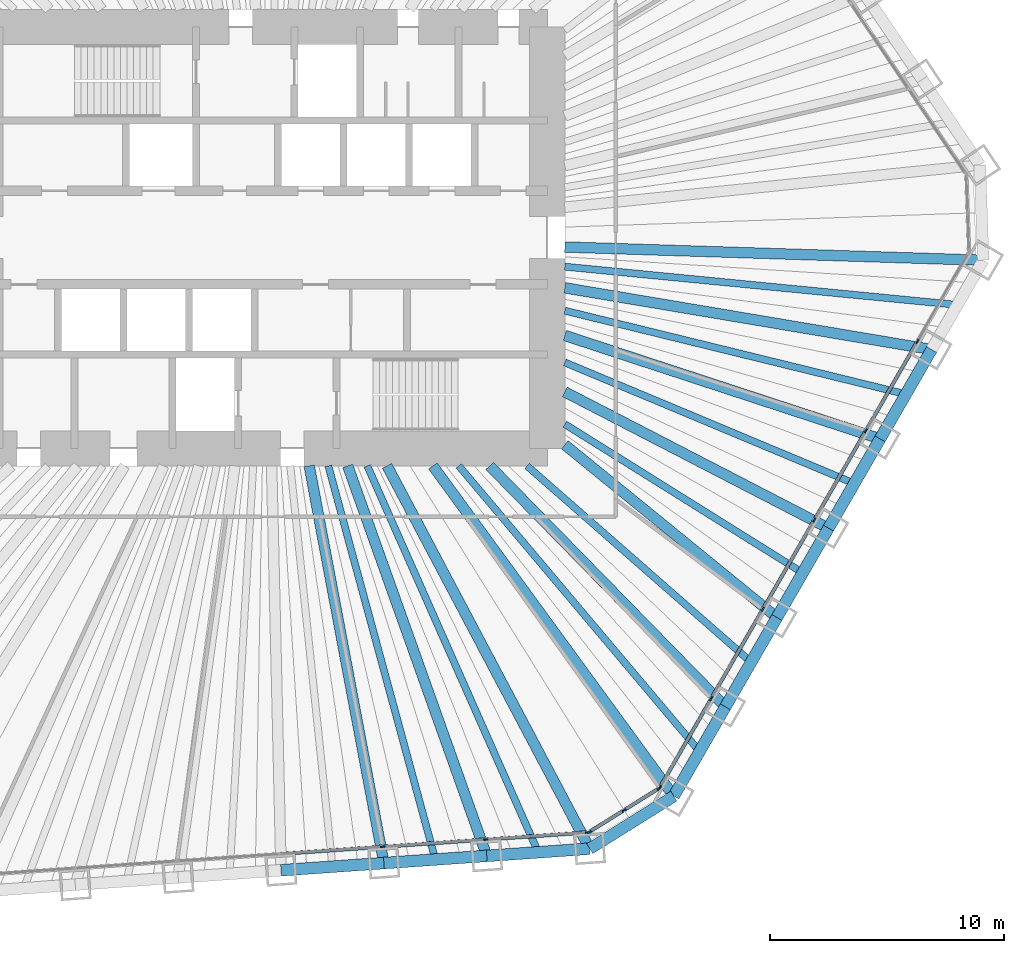
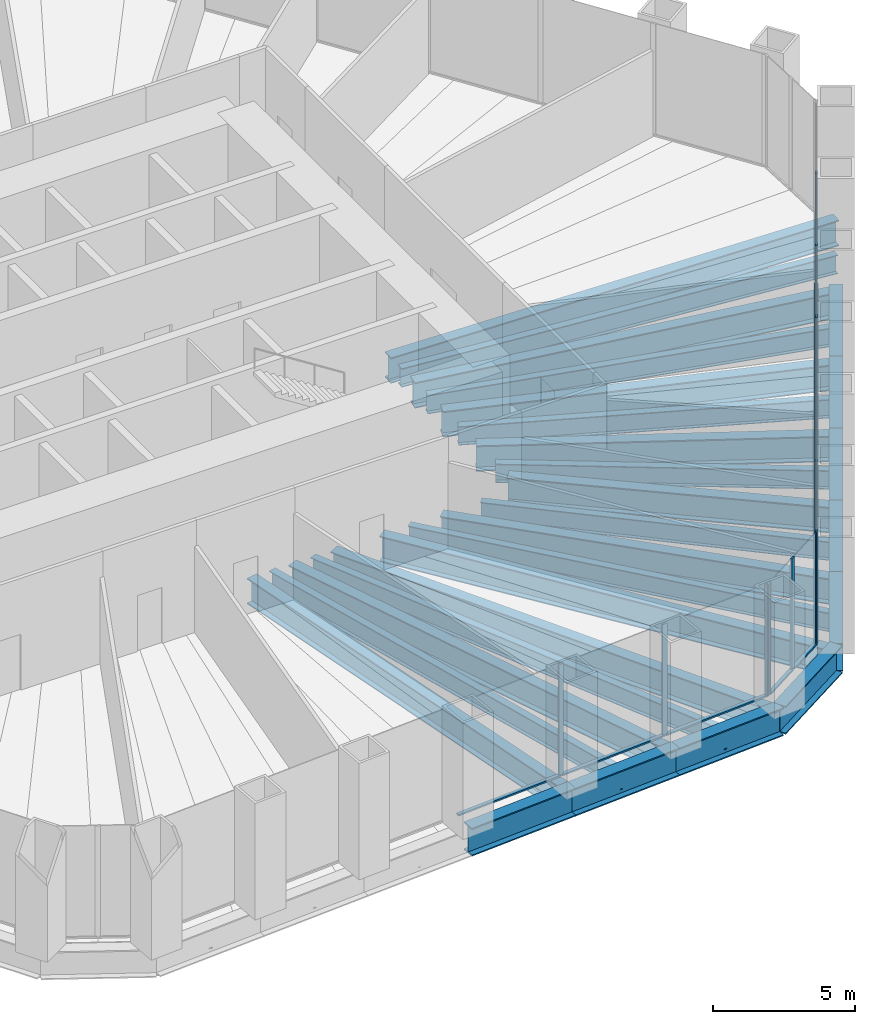
# One storey, part 4 of 14: 27 beams, 22 members, 3 elements without a shape of their own.
"""IFC4 building model written with IfcOpenShell, lengths in metres."""

from ifc_helpers import new_model, si_unit, direction, frame, origin, origin_2d, place, context, subcontext, project, spatial, rectangle, i_section, extrude, material, material_profile, profile_set, type_object, element, aggregate, save


model = new_model("IFC4")

# Units and contexts
model_context = context("Model", 3, precision=1e-05, world=origin(), true_north=direction((0.0, 1.0)))
body_context = subcontext(model_context, "Body", "Model", "MODEL_VIEW")
ifc_project = project(units=[si_unit("LENGTHUNIT", "METRE"), si_unit("AREAUNIT", "SQUARE_METRE"), si_unit("VOLUMEUNIT", "CUBIC_METRE"), si_unit("PLANEANGLEUNIT", "RADIAN"), si_unit("MASSUNIT", "GRAM", prefix="KILO")], contexts=[model_context])

# Site, building, storey
site_placement = place(None, origin())
site = spatial("IfcSite", under=ifc_project, at=site_placement, CompositionType="ELEMENT")
building_placement = place(site_placement, origin())
building = spatial("IfcBuilding", under=site, at=building_placement, Name="Qingtian Harvest Tower", CompositionType="ELEMENT")
storey_placement = place(building_placement, frame((0.0, 0.0, 82.0)))
storey = spatial("IfcBuildingStorey", under=building, at=storey_placement, Name="L16", CompositionType="ELEMENT", Elevation=82.0)

# Beams
ifc_material_1 = material(Name="Steel SM570MC", Category="steel")
ifc_material_profile_1 = material_profile(ifc_material_1, i_section(OverallWidth=0.449951171875, OverallDepth=1.10009765625, WebThickness=0.02197265625, FlangeThickness=0.044921875, at=origin_2d()), Name="H1100x450x22x45")
ifc_profile_set_1 = profile_set([ifc_material_profile_1], Name="Steel SM570MC")
beam_type_1 = type_object("IfcBeamType", Name="Corner floor beam FB8 H1100x450x22x45", PredefinedType="BEAM", material=ifc_profile_set_1)
beam_1_placement = place(storey_placement, frame((30.618408203125, -0.96728515625, -0.75), z_axis=(-0.999501426546, 0.031573696842, 0.0), x_axis=(-0.031573696842, -0.999501426546, 0.0)))
element("IfcBeam", 1, at=beam_1_placement, inside=storey, type_object=beam_type_1, Name="Floor beam FB8 SE0", PredefinedType="BEAM", context=body_context, shape_type="SweptSolid", body=[
    extrude(i_section(OverallWidth=0.449951171875, OverallDepth=1.10009765625, WebThickness=0.02197265625, FlangeThickness=0.044921875, at=origin_2d()), origin(), (0.0, 0.0, 1.0), 17.87744140625),
])
beam_2_placement = place(storey_placement, frame((17.404541015625, -23.854248046875, -0.75), z_axis=(-0.58941234871, 0.807832336062, 0.0), x_axis=(-0.807832336062, -0.58941234871, 0.0)))
element("IfcBeam", 2, at=beam_2_placement, inside=storey, type_object=beam_type_1, Name="Floor beam FB8 SE6", PredefinedType="BEAM", context=body_context, shape_type="SweptSolid", body=[
    extrude(i_section(OverallWidth=0.449951171875, OverallDepth=1.10009765625, WebThickness=0.02197265625, FlangeThickness=0.044921875, at=origin_2d()), origin(), (0.0, 0.0, 1.0), 17.45947265625),
])
beam_3_placement = place(storey_placement, frame((13.810546875, -26.10009765625, -0.75), z_axis=(-0.467705182679, 0.883884529843, 0.0), x_axis=(-0.883884529843, -0.467705182679, 0.0)))
element("IfcBeam", 3, at=beam_3_placement, inside=storey, type_object=beam_type_1, Name="Floor beam FB8 S0", PredefinedType="BEAM", context=body_context, shape_type="SweptSolid", body=[
    extrude(i_section(OverallWidth=0.449951171875, OverallDepth=1.10009765625, WebThickness=0.02197265625, FlangeThickness=0.044921875, at=origin_2d()), origin(), (0.0, 0.0, 1.0), 18.498046875),
])
ifc_material_2 = material(Name="Steel SM570MC", Category="steel")
ifc_material_profile_2 = material_profile(ifc_material_2, i_section(OverallWidth=0.449951171875, OverallDepth=1.10009765625, WebThickness=0.02197265625, FlangeThickness=0.044921875, at=origin_2d()), Name="H1100x450x22x45")
ifc_profile_set_2 = profile_set([ifc_material_profile_2], Name="Steel SM570MC")
beam_type_2 = type_object("IfcBeamType", Name="Floor beam FB1 H1100x450x22x45", PredefinedType="BEAM", material=ifc_profile_set_2)
beam_4_placement = place(storey_placement, frame((28.416015625, -4.78173828125, -0.75), z_axis=(-0.986135195489, 0.16594389479, 0.0), x_axis=(-0.16594389479, -0.986135195489, 0.0)))
element("IfcBeam", 4, at=beam_4_placement, inside=storey, type_object=beam_type_2, Name="Floor beam FB1 SE1", PredefinedType="BEAM", context=body_context, shape_type="SweptSolid", body=[
    extrude(i_section(OverallWidth=0.449951171875, OverallDepth=1.10009765625, WebThickness=0.02197265625, FlangeThickness=0.044921875, at=origin_2d()), origin(), (0.0, 0.0, 1.0), 15.88623046875),
])
beam_5_placement = place(storey_placement, frame((26.2138671875, -8.596435546875, -0.75), z_axis=(-0.950210724421, 0.311608053803, 0.0), x_axis=(-0.311608053803, -0.950210724421, 0.0)))
element("IfcBeam", 5, at=beam_5_placement, inside=storey, type_object=beam_type_2, Name="Floor beam FB1 SE2", PredefinedType="BEAM", context=body_context, shape_type="SweptSolid", body=[
    extrude(i_section(OverallWidth=0.449951171875, OverallDepth=1.10009765625, WebThickness=0.02197265625, FlangeThickness=0.044921875, at=origin_2d()), origin(), (0.0, 0.0, 1.0), 14.16943359375),
])
beam_6_placement = place(storey_placement, frame((24.011474609375, -12.410888671875, -0.75), z_axis=(-0.888349581519, 0.45916774823, 0.0), x_axis=(-0.45916774823, -0.888349581519, 0.0)))
element("IfcBeam", 6, at=beam_6_placement, inside=storey, type_object=beam_type_2, Name="Floor beam FB1 SE3", PredefinedType="BEAM", context=body_context, shape_type="SweptSolid", body=[
    extrude(i_section(OverallWidth=0.449951171875, OverallDepth=1.10009765625, WebThickness=0.02197265625, FlangeThickness=0.044921875, at=origin_2d()), origin(), (0.0, 0.0, 1.0), 12.6767578125),
])
beam_7_placement = place(storey_placement, frame((21.809326171875, -16.225341796875, -0.75), z_axis=(-0.775504415669, 0.631342142802, 0.0), x_axis=(-0.631342142802, -0.775504415669, 0.0)))
element("IfcBeam", 7, at=beam_7_placement, inside=storey, type_object=beam_type_2, Name="Floor beam FB1 SE4", PredefinedType="BEAM", context=body_context, shape_type="SweptSolid", body=[
    extrude(i_section(OverallWidth=0.449951171875, OverallDepth=1.10009765625, WebThickness=0.02197265625, FlangeThickness=0.044921875, at=origin_2d()), origin(), (0.0, 0.0, 1.0), 11.681884765625),
])
beam_8_placement = place(storey_placement, frame((19.60693359375, -20.039794921875, -0.75), z_axis=(-0.699348221539, 0.714781130858, 0.0), x_axis=(-0.714781130858, -0.699348221539, 0.0)))
element("IfcBeam", 8, at=beam_8_placement, inside=storey, type_object=beam_type_2, Name="Floor beam FB1 SE5", PredefinedType="BEAM", context=body_context, shape_type="SweptSolid", body=[
    extrude(i_section(OverallWidth=0.449951171875, OverallDepth=1.10009765625, WebThickness=0.02197265625, FlangeThickness=0.044921875, at=origin_2d()), origin(), (0.0, 0.0, 1.0), 14.395751953125),
])
beam_9_placement = place(storey_placement, frame((9.41650390625, -26.407470703125, -0.75), z_axis=(-0.33586498155, 0.941910141239, 0.0), x_axis=(-0.941910141239, -0.33586498155, 0.0)))
element("IfcBeam", 9, at=beam_9_placement, inside=storey, type_object=beam_type_2, Name="Floor beam FB1 S1", PredefinedType="BEAM", context=body_context, shape_type="SweptSolid", body=[
    extrude(i_section(OverallWidth=0.449951171875, OverallDepth=1.10009765625, WebThickness=0.02197265625, FlangeThickness=0.044921875, at=origin_2d()), origin(), (0.0, 0.0, 1.0), 17.684814453125),
])
beam_10_placement = place(storey_placement, frame((5.022705078125, -26.714599609375, -0.75), z_axis=(-0.184782942099, 0.98277935688, 0.0), x_axis=(-0.98277935688, -0.184782942099, 0.0)))
element("IfcBeam", 10, at=beam_10_placement, inside=storey, type_object=beam_type_2, Name="Floor beam FB1 S2", PredefinedType="BEAM", context=body_context, shape_type="SweptSolid", body=[
    extrude(i_section(OverallWidth=0.449951171875, OverallDepth=1.10009765625, WebThickness=0.02197265625, FlangeThickness=0.044921875, at=origin_2d()), origin(), (0.0, 0.0, 1.0), 17.261962890625),
])
ifc_material_3 = material(Name="Steel SN490B", Category="steel")
ifc_material_profile_3 = material_profile(ifc_material_3, i_section(OverallWidth=0.300048828125, OverallDepth=0.800048828125, WebThickness=0.013916015625, FlangeThickness=0.02587890625, at=origin_2d()), Name="H800x300x14x26")
ifc_profile_set_3 = profile_set([ifc_material_profile_3], Name="Steel SN490B")
beam_type_3 = type_object("IfcBeamType", Name="Floor joist J1 H800x300x14x26", PredefinedType="JOIST", material=ifc_profile_set_3)
beam_11_placement = place(storey_placement, frame((29.517333984375, -2.87451171875, -0.60009765625), z_axis=(-0.995291970786, 0.096922097011, 0.0), x_axis=(-0.096922097011, -0.995291970786, 0.0)))
element("IfcBeam", 11, at=beam_11_placement, inside=storey, type_object=beam_type_3, Name="Floor joist J1 SE0", PredefinedType="JOIST", context=body_context, shape_type="SweptSolid", body=[
    extrude(i_section(OverallWidth=0.300048828125, OverallDepth=0.800048828125, WebThickness=0.013916015625, FlangeThickness=0.02587890625, at=origin_2d()), origin(), (0.0, 0.0, 1.0), 16.8466796875),
])
beam_12_placement = place(storey_placement, frame((27.31494140625, -6.68896484375, -0.60009765625), z_axis=(-0.971301533706, 0.237851488583, 0.0), x_axis=(-0.237851488583, -0.971301533706, 0.0)))
element("IfcBeam", 12, at=beam_12_placement, inside=storey, type_object=beam_type_3, Name="Floor joist J1 SE1", PredefinedType="JOIST", context=body_context, shape_type="SweptSolid", body=[
    extrude(i_section(OverallWidth=0.300048828125, OverallDepth=0.800048828125, WebThickness=0.013916015625, FlangeThickness=0.02587890625, at=origin_2d()), origin(), (0.0, 0.0, 1.0), 14.995361328125),
])
beam_13_placement = place(storey_placement, frame((25.112548828125, -10.503662109375, -0.60009765625), z_axis=(-0.922550516103, 0.385876334125, 0.0), x_axis=(-0.385876334125, -0.922550516103, 0.0)))
element("IfcBeam", 13, at=beam_13_placement, inside=storey, type_object=beam_type_3, Name="Floor joist J1 SE2", PredefinedType="JOIST", context=body_context, shape_type="SweptSolid", body=[
    extrude(i_section(OverallWidth=0.300048828125, OverallDepth=0.800048828125, WebThickness=0.013916015625, FlangeThickness=0.02587890625, at=origin_2d()), origin(), (0.0, 0.0, 1.0), 13.400390625),
])
beam_14_placement = place(storey_placement, frame((22.910400390625, -14.318115234375, -0.60009765625), z_axis=(-0.848013185461, 0.52997512893, 0.0), x_axis=(-0.52997512893, -0.848013185461, 0.0)))
element("IfcBeam", 14, at=beam_14_placement, inside=storey, type_object=beam_type_3, Name="Floor joist J1 SE3", PredefinedType="JOIST", context=body_context, shape_type="SweptSolid", body=[
    extrude(i_section(OverallWidth=0.300048828125, OverallDepth=0.800048828125, WebThickness=0.013916015625, FlangeThickness=0.02587890625, at=origin_2d()), origin(), (0.0, 0.0, 1.0), 11.9814453125),
])
beam_15_placement = place(storey_placement, frame((20.7080078125, -18.132568359375, -0.60009765625), z_axis=(-0.75234369212, 0.658770801514, 0.0), x_axis=(-0.658770801514, -0.75234369212, 0.0)))
element("IfcBeam", 15, at=beam_15_placement, inside=storey, type_object=beam_type_3, Name="Floor joist J1 SE4", PredefinedType="JOIST", context=body_context, shape_type="SweptSolid", body=[
    extrude(i_section(OverallWidth=0.300048828125, OverallDepth=0.800048828125, WebThickness=0.013916015625, FlangeThickness=0.02587890625, at=origin_2d()), origin(), (0.0, 0.0, 1.0), 12.724609375),
])
beam_16_placement = place(storey_placement, frame((18.505859375, -21.947021484375, -0.60009765625), z_axis=(-0.644630398038, 0.76449437534, 0.0), x_axis=(-0.76449437534, -0.644630398038, 0.0)))
element("IfcBeam", 16, at=beam_16_placement, inside=storey, type_object=beam_type_3, Name="Floor joist J1 SE5", PredefinedType="JOIST", context=body_context, shape_type="SweptSolid", body=[
    extrude(i_section(OverallWidth=0.300048828125, OverallDepth=0.800048828125, WebThickness=0.013916015625, FlangeThickness=0.02587890625, at=origin_2d()), origin(), (0.0, 0.0, 1.0), 15.954345703125),
])
beam_17_placement = place(storey_placement, frame((11.613525390625, -26.25390625, -0.60009765625), z_axis=(-0.404539958959, 0.914520323233, 0.0), x_axis=(-0.914520323233, -0.404539958959, 0.0)))
element("IfcBeam", 17, at=beam_17_placement, inside=storey, type_object=beam_type_3, Name="Floor joist J1 S0", PredefinedType="JOIST", context=body_context, shape_type="SweptSolid", body=[
    extrude(i_section(OverallWidth=0.300048828125, OverallDepth=0.800048828125, WebThickness=0.013916015625, FlangeThickness=0.02587890625, at=origin_2d()), origin(), (0.0, 0.0, 1.0), 18.046630859375),
])
beam_18_placement = place(storey_placement, frame((7.2197265625, -26.56103515625, -0.60009765625), z_axis=(-0.262302659247, 0.964985655309, 0.0), x_axis=(-0.964985655309, -0.262302659247, 0.0)))
element("IfcBeam", 18, at=beam_18_placement, inside=storey, type_object=beam_type_3, Name="Floor joist J1 S1", PredefinedType="JOIST", context=body_context, shape_type="SweptSolid", body=[
    extrude(i_section(OverallWidth=0.300048828125, OverallDepth=0.800048828125, WebThickness=0.013916015625, FlangeThickness=0.02587890625, at=origin_2d()), origin(), (0.0, 0.0, 1.0), 17.421142578125),
])

# Curtain wall, members
ifc_material_4 = material(Name="Bronze-anodised aluminium curtain wall", Category="aluminium")
curtain_wall_type = type_object("IfcCurtainWallType", Name="Curtain wall CW2 farm reception", PredefinedType="USERDEFINED", material=ifc_material_4)
curtain_wall_1_placement = place(storey_placement, origin())
curtain_wall_1 = element("IfcCurtainWall", 19, at=curtain_wall_1_placement, inside=storey, type_object=curtain_wall_type, Name="Curtain wall CW2 L16 SE0-5", ObjectType="RECESSED CURTAIN WALL", PredefinedType="USERDEFINED")
ifc_material_5 = material(Name="Bronze-anodised aluminium mullion", Category="aluminium")
ifc_material_profile_4 = material_profile(ifc_material_5, rectangle(XDim=0.06494140625, YDim=0.199951171875, at=origin_2d()), Name="AL 65x200")
ifc_profile_set_4 = profile_set([ifc_material_profile_4], Name="Bronze-anodised aluminium mullion")
member_type_1 = type_object("IfcMemberType", Name="Mullion CWM 65x200", PredefinedType="MULLION", material=ifc_profile_set_4)
member_1_placement = place(storey_placement, frame((27.809814453125, -4.431884765625, 0.0), z_axis=(0.0, 0.0, 1.0), x_axis=(0.866025403784, -0.5, 0.0)))
member_1 = element("IfcMember", 20, at=member_1_placement, type_object=member_type_1, Name="CW2 mullion 2", PredefinedType="MULLION", context=body_context, shape_type="SweptSolid", body=[
    extrude(rectangle(XDim=0.06494140625, YDim=0.199951171875, at=origin_2d()), origin(), (0.0, 0.0, 1.0), 4.800048828125),
])
member_2_placement = place(storey_placement, frame((25.607666015625, -8.246337890625, 0.0), z_axis=(0.0, 0.0, 1.0), x_axis=(0.866025403784, -0.5, 0.0)))
member_2 = element("IfcMember", 21, at=member_2_placement, type_object=member_type_1, Name="CW2 mullion 3", PredefinedType="MULLION", context=body_context, shape_type="SweptSolid", body=[
    extrude(rectangle(XDim=0.06494140625, YDim=0.199951171875, at=origin_2d()), origin(), (0.0, 0.0, 1.0), 4.800048828125),
])
member_3_placement = place(storey_placement, frame((23.4052734375, -12.060791015625, 0.0), z_axis=(0.0, 0.0, 1.0), x_axis=(0.866025403784, -0.5, 0.0)))
member_3 = element("IfcMember", 22, at=member_3_placement, type_object=member_type_1, Name="CW2 mullion 4", PredefinedType="MULLION", context=body_context, shape_type="SweptSolid", body=[
    extrude(rectangle(XDim=0.06494140625, YDim=0.199951171875, at=origin_2d()), origin(), (0.0, 0.0, 1.0), 4.800048828125),
])
member_4_placement = place(storey_placement, frame((21.202880859375, -15.875244140625, 0.0), z_axis=(0.0, 0.0, 1.0), x_axis=(0.866025403784, -0.5, 0.0)))
member_4 = element("IfcMember", 23, at=member_4_placement, type_object=member_type_1, Name="CW2 mullion 5", PredefinedType="MULLION", context=body_context, shape_type="SweptSolid", body=[
    extrude(rectangle(XDim=0.06494140625, YDim=0.199951171875, at=origin_2d()), origin(), (0.0, 0.0, 1.0), 4.800048828125),
])
member_5_placement = place(storey_placement, frame((19.000732421875, -19.68994140625, 0.0), z_axis=(0.0, 0.0, 1.0), x_axis=(0.866025403784, -0.5, 0.0)))
member_5 = element("IfcMember", 24, at=member_5_placement, type_object=member_type_1, Name="CW2 mullion 6", PredefinedType="MULLION", context=body_context, shape_type="SweptSolid", body=[
    extrude(rectangle(XDim=0.06494140625, YDim=0.199951171875, at=origin_2d()), origin(), (0.0, 0.0, 1.0), 4.800048828125),
])
member_6_placement = place(storey_placement, frame((16.814697265625, -23.47607421875, 0.0), z_axis=(0.0, 0.0, 1.0), x_axis=(0.866025403784, -0.5, 0.0)))
member_6 = element("IfcMember", 25, at=member_6_placement, type_object=member_type_1, Name="CW2 mullion 7", PredefinedType="MULLION", context=body_context, shape_type="SweptSolid", body=[
    extrude(rectangle(XDim=0.06494140625, YDim=0.199951171875, at=origin_2d()), origin(), (0.0, 0.0, 1.0), 4.800048828125),
])

curtain_wall_2_placement = place(storey_placement, origin())
curtain_wall_2 = element("IfcCurtainWall", 26, at=curtain_wall_2_placement, inside=storey, type_object=curtain_wall_type, Name="Curtain wall CW2 L16 SEC", ObjectType="RECESSED CURTAIN WALL", PredefinedType="USERDEFINED")
member_7_placement = place(storey_placement, frame((16.770751953125, -23.521484375, 0.0), z_axis=(0.0, 0.0, 1.0), x_axis=(0.529919264233, -0.848048096156, 0.0)))
member_7 = element("IfcMember", 27, at=member_7_placement, type_object=member_type_1, Name="CW2 mullion 1", PredefinedType="MULLION", context=body_context, shape_type="SweptSolid", body=[
    extrude(rectangle(XDim=0.06494140625, YDim=0.199951171875, at=origin_2d()), origin(), (0.0, 0.0, 1.0), 4.800048828125),
])
member_8_placement = place(storey_placement, frame((15.280029296875, -24.453125, 0.0), z_axis=(0.0, 0.0, 1.0), x_axis=(0.529919264233, -0.848048096156, 0.0)))
member_8 = element("IfcMember", 28, at=member_8_placement, type_object=member_type_1, Name="CW2 mullion 2", PredefinedType="MULLION", context=body_context, shape_type="SweptSolid", body=[
    extrude(rectangle(XDim=0.06494140625, YDim=0.199951171875, at=origin_2d()), origin(), (0.0, 0.0, 1.0), 4.800048828125),
])
member_9_placement = place(storey_placement, frame((13.789306640625, -25.384765625, 0.0), z_axis=(0.0, 0.0, 1.0), x_axis=(0.529919264233, -0.848048096156, 0.0)))
member_9 = element("IfcMember", 29, at=member_9_placement, type_object=member_type_1, Name="CW2 mullion 3", PredefinedType="MULLION", context=body_context, shape_type="SweptSolid", body=[
    extrude(rectangle(XDim=0.06494140625, YDim=0.199951171875, at=origin_2d()), origin(), (0.0, 0.0, 1.0), 4.800048828125),
])

curtain_wall_3_placement = place(storey_placement, origin())
curtain_wall_3 = element("IfcCurtainWall", 30, at=curtain_wall_3_placement, inside=storey, type_object=curtain_wall_type, Name="Curtain wall CW2 L16 S0-5", ObjectType="RECESSED CURTAIN WALL", PredefinedType="USERDEFINED")
member_10_placement = place(storey_placement, frame((13.729248046875, -25.404296875, 0.0), z_axis=(0.0, 0.0, 1.0), x_axis=(0.069756473744, -0.99756405026, 0.0)))
member_10 = element("IfcMember", 31, at=member_10_placement, type_object=member_type_1, Name="CW2 mullion 1", PredefinedType="MULLION", context=body_context, shape_type="SweptSolid", body=[
    extrude(rectangle(XDim=0.06494140625, YDim=0.199951171875, at=origin_2d()), origin(), (0.0, 0.0, 1.0), 4.800048828125),
])
member_11_placement = place(storey_placement, frame((9.36767578125, -25.709228515625, 0.0), z_axis=(0.0, 0.0, 1.0), x_axis=(0.069756473744, -0.99756405026, 0.0)))
member_11 = element("IfcMember", 32, at=member_11_placement, type_object=member_type_1, Name="CW2 mullion 2", PredefinedType="MULLION", context=body_context, shape_type="SweptSolid", body=[
    extrude(rectangle(XDim=0.06494140625, YDim=0.199951171875, at=origin_2d()), origin(), (0.0, 0.0, 1.0), 4.800048828125),
])
member_12_placement = place(storey_placement, frame((4.973876953125, -26.016357421875, 0.0), z_axis=(0.0, 0.0, 1.0), x_axis=(0.069756473744, -0.99756405026, 0.0)))
member_12 = element("IfcMember", 33, at=member_12_placement, type_object=member_type_1, Name="CW2 mullion 3", PredefinedType="MULLION", context=body_context, shape_type="SweptSolid", body=[
    extrude(rectangle(XDim=0.06494140625, YDim=0.199951171875, at=origin_2d()), origin(), (0.0, 0.0, 1.0), 4.800048828125),
])

# Beams
ifc_material_6 = material(Name="Steel SM570MC", Category="steel")
ifc_material_profile_5 = material_profile(ifc_material_6, i_section(OverallWidth=0.5, OverallDepth=1.199951171875, WebThickness=0.02490234375, FlangeThickness=0.050048828125, at=origin_2d()), Name="H1200x500x25x50")
ifc_profile_set_5 = profile_set([ifc_material_profile_5], Name="Steel SM570MC")
beam_type_4 = type_object("IfcBeamType", Name="Spandrel beam SB1 H1200x500x25x50", PredefinedType="SPANDREL", material=ifc_profile_set_5)
beam_19_placement = place(storey_placement, frame((28.416015625, -4.78173828125, -0.60009765625), z_axis=(-0.499954356739, -0.86605175433, 0.0), x_axis=(0.86605175433, -0.499954356739, 0.0)))
element("IfcBeam", 34, at=beam_19_placement, inside=storey, type_object=beam_type_4, Name="Spandrel SB1 SE1", PredefinedType="SPANDREL", context=body_context, shape_type="SweptSolid", body=[
    extrude(i_section(OverallWidth=0.5, OverallDepth=1.199951171875, WebThickness=0.02490234375, FlangeThickness=0.050048828125, at=origin_2d()), origin(), (0.0, 0.0, 1.0), 4.40478515625),
])
for number, where, z_axis, x_axis, name in (
    (35, (26.2138671875, -8.596435546875, -0.60009765625), (-0.50001992892, -0.866013897511, 0.0), (0.866013897511, -0.50001992892, 0.0), "Spandrel SB1 SE2"),
    (36, (24.011474609375, -12.410888671875, -0.60009765625), (-0.499978356969, -0.866037899034, 0.0), (0.866037899034, -0.499978356969, 0.0), "Spandrel SB1 SE3"),
    (37, (21.809326171875, -16.225341796875, -0.60009765625), (-0.50001992892, -0.866013897511, 0.0), (0.866013897511, -0.50001992892, 0.0), "Spandrel SB1 SE4"),
    (38, (19.60693359375, -20.039794921875, -0.60009765625), (-0.50001992892, -0.866013897511, 0.0), (0.866013897511, -0.50001992892, 0.0), "Spandrel SB1 SE5"),
):
    element("IfcBeam", number, at=place(storey_placement, frame(where, z_axis=z_axis, x_axis=x_axis)), inside=storey, type_object=beam_type_4, Name=name, PredefinedType="SPANDREL", context=body_context, shape_type="SweptSolid", body=[
        extrude(i_section(OverallWidth=0.5, OverallDepth=1.199951171875, WebThickness=0.02490234375, FlangeThickness=0.050048828125, at=origin_2d()), origin(), (0.0, 0.0, 1.0), 4.404541015625),
    ])
beam_20_placement = place(storey_placement, frame((17.404541015625, -23.854248046875, -0.60009765625), z_axis=(-0.848040374245, -0.529931621675, 0.0), x_axis=(0.529931621675, -0.848040374245, 0.0)))
element("IfcBeam", 39, at=beam_20_placement, inside=storey, type_object=beam_type_4, Name="Spandrel SB1 SEC", PredefinedType="SPANDREL", context=body_context, shape_type="SweptSolid", body=[
    extrude(i_section(OverallWidth=0.5, OverallDepth=1.199951171875, WebThickness=0.02490234375, FlangeThickness=0.050048828125, at=origin_2d()), origin(), (0.0, 0.0, 1.0), 4.238037109375),
])
beam_21_placement = place(storey_placement, frame((13.810546875, -26.10009765625, -0.60009765625), z_axis=(-0.997562286406, -0.069781693443, 0.0), x_axis=(0.069781693443, -0.997562286406, 0.0)))
element("IfcBeam", 40, at=beam_21_placement, inside=storey, type_object=beam_type_4, Name="Spandrel SB1 S0", PredefinedType="SPANDREL", context=body_context, shape_type="SweptSolid", body=[
    extrude(i_section(OverallWidth=0.5, OverallDepth=1.199951171875, WebThickness=0.02490234375, FlangeThickness=0.050048828125, at=origin_2d()), origin(), (0.0, 0.0, 1.0), 4.40478515625),
])
for number, where, z_axis, x_axis, name in (
    (41, (9.41650390625, -26.407470703125, -0.60009765625), (-0.997565873714, -0.069730392239, 0.0), (0.069730392239, -0.997565873714, 0.0), "Spandrel SB1 S1"),
    (42, (5.022705078125, -26.714599609375, -0.60009765625), (-0.997562016486, -0.069785551967, 0.0), (0.069785551967, -0.997562016486, 0.0), "Spandrel SB1 S2"),
):
    element("IfcBeam", number, at=place(storey_placement, frame(where, z_axis=z_axis, x_axis=x_axis)), inside=storey, type_object=beam_type_4, Name=name, PredefinedType="SPANDREL", context=body_context, shape_type="SweptSolid", body=[
        extrude(i_section(OverallWidth=0.5, OverallDepth=1.199951171875, WebThickness=0.02490234375, FlangeThickness=0.050048828125, at=origin_2d()), origin(), (0.0, 0.0, 1.0), 4.404541015625),
    ])

# Member
ifc_material_7 = material(Name="Bronze-anodised aluminium transom", Category="aluminium")
ifc_material_profile_6 = material_profile(ifc_material_7, rectangle(XDim=0.14990234375, YDim=0.06494140625, at=origin_2d()), Name="AL 65x150")
ifc_profile_set_6 = profile_set([ifc_material_profile_6], Name="Bronze-anodised aluminium transom")
member_type_2 = type_object("IfcMemberType", Name="Transom CWT 65x150", PredefinedType="USERDEFINED", material=ifc_profile_set_6)
member_13_placement = place(storey_placement, frame((27.793701171875, -4.4599609375, 0.032470703125), z_axis=(-0.500011390128, -0.866018827591, 0.0), x_axis=(0.866018827591, -0.500011390128, 0.0)))
member_13 = element("IfcMember", 43, at=member_13_placement, type_object=member_type_2, Name="CW2 transom 2.1", ObjectType="TRANSOM", PredefinedType="USERDEFINED", context=body_context, shape_type="SweptSolid", body=[
    extrude(rectangle(XDim=0.14990234375, YDim=0.06494140625, at=origin_2d()), origin(), (0.0, 0.0, 1.0), 4.33984375),
])

member_14_placement = place(storey_placement, frame((25.59130859375, -8.2744140625, 0.032470703125), z_axis=(-0.499969196308, -0.866043187574, 0.0), x_axis=(0.866043187574, -0.499969196308, 0.0)))
member_14 = element("IfcMember", 44, at=member_14_placement, type_object=member_type_2, Name="CW2 transom 3.1", ObjectType="TRANSOM", PredefinedType="USERDEFINED", context=body_context, shape_type="SweptSolid", body=[
    extrude(rectangle(XDim=0.14990234375, YDim=0.06494140625, at=origin_2d()), origin(), (0.0, 0.0, 1.0), 4.339599609375),
])

member_15_placement = place(storey_placement, frame((23.38916015625, -12.0888671875, 0.032470703125), z_axis=(-0.500011390128, -0.866018827591, 0.0), x_axis=(0.866018827591, -0.500011390128, 0.0)))
member_15 = element("IfcMember", 45, at=member_15_placement, type_object=member_type_2, Name="CW2 transom 4.1", ObjectType="TRANSOM", PredefinedType="USERDEFINED", context=body_context, shape_type="SweptSolid", body=[
    extrude(rectangle(XDim=0.14990234375, YDim=0.06494140625, at=origin_2d()), origin(), (0.0, 0.0, 1.0), 4.33984375),
])

member_16_placement = place(storey_placement, frame((21.186767578125, -15.903564453125, 0.032470703125), z_axis=(-0.500035751442, -0.866004761696, 0.0), x_axis=(0.866004761696, -0.500035751442, 0.0)))
member_16 = element("IfcMember", 46, at=member_16_placement, type_object=member_type_2, Name="CW2 transom 5.1", ObjectType="TRANSOM", PredefinedType="USERDEFINED", context=body_context, shape_type="SweptSolid", body=[
    extrude(rectangle(XDim=0.14990234375, YDim=0.06494140625, at=origin_2d()), origin(), (0.0, 0.0, 1.0), 4.339599609375),
])

member_17_placement = place(storey_placement, frame((18.984375, -19.718017578125, 0.032470703125), z_axis=(-0.500010313095, -0.866019449435, 0.0), x_axis=(0.866019449435, -0.500010313095, 0.0)))
member_17 = element("IfcMember", 47, at=member_17_placement, type_object=member_type_2, Name="CW2 transom 6.1", ObjectType="TRANSOM", PredefinedType="USERDEFINED", context=body_context, shape_type="SweptSolid", body=[
    extrude(rectangle(XDim=0.14990234375, YDim=0.06494140625, at=origin_2d()), origin(), (0.0, 0.0, 1.0), 4.30712890625),
])

aggregate(curtain_wall_1, [member_1, member_2, member_3, member_4, member_5, member_6, member_13, member_14, member_15, member_16, member_17])

member_18_placement = place(storey_placement, frame((16.7431640625, -23.538818359375, 0.032470703125), z_axis=(-0.848063119425, -0.529895221219, 0.0), x_axis=(0.529895221219, -0.848063119425, 0.0)))
member_18 = element("IfcMember", 48, at=member_18_placement, type_object=member_type_2, Name="CW2 transom 1.1", ObjectType="TRANSOM", PredefinedType="USERDEFINED", context=body_context, shape_type="SweptSolid", body=[
    extrude(rectangle(XDim=0.14990234375, YDim=0.06494140625, at=origin_2d()), origin(), (0.0, 0.0, 1.0), 1.692626953125),
])

member_19_placement = place(storey_placement, frame((15.25244140625, -24.470458984375, 0.032470703125), z_axis=(-0.848103609743, -0.529830413568, 0.0), x_axis=(0.529830413568, -0.848103609743, 0.0)))
member_19 = element("IfcMember", 49, at=member_19_placement, type_object=member_type_2, Name="CW2 transom 2.1", ObjectType="TRANSOM", PredefinedType="USERDEFINED", context=body_context, shape_type="SweptSolid", body=[
    extrude(rectangle(XDim=0.14990234375, YDim=0.06494140625, at=origin_2d()), origin(), (0.0, 0.0, 1.0), 1.69287109375),
])

aggregate(curtain_wall_2, [member_7, member_8, member_9, member_18, member_19])

member_20_placement = place(storey_placement, frame((13.69677734375, -25.406494140625, 0.032470703125), z_axis=(-0.997566581753, -0.069720262262, 0.0), x_axis=(0.069720262262, -0.997566581753, 0.0)))
member_20 = element("IfcMember", 50, at=member_20_placement, type_object=member_type_2, Name="CW2 transom 1.1", ObjectType="TRANSOM", PredefinedType="USERDEFINED", context=body_context, shape_type="SweptSolid", body=[
    extrude(rectangle(XDim=0.14990234375, YDim=0.06494140625, at=origin_2d()), origin(), (0.0, 0.0, 1.0), 4.30712890625),
])

member_21_placement = place(storey_placement, frame((9.33544921875, -25.71142578125, 0.032470703125), z_axis=(-0.997563824095, -0.069759707979, 0.0), x_axis=(0.069759707979, -0.997563824095, 0.0)))
member_21 = element("IfcMember", 51, at=member_21_placement, type_object=member_type_2, Name="CW2 transom 2.1", ObjectType="TRANSOM", PredefinedType="USERDEFINED", context=body_context, shape_type="SweptSolid", body=[
    extrude(rectangle(XDim=0.14990234375, YDim=0.06494140625, at=origin_2d()), origin(), (0.0, 0.0, 1.0), 4.339599609375),
])

member_22_placement = place(storey_placement, frame((4.94140625, -26.018798828125, 0.032470703125), z_axis=(-0.997567737508, -0.069703723594, 0.0), x_axis=(0.069703723594, -0.997567737508, 0.0)))
member_22 = element("IfcMember", 52, at=member_22_placement, type_object=member_type_2, Name="CW2 transom 3.1", ObjectType="TRANSOM", PredefinedType="USERDEFINED", context=body_context, shape_type="SweptSolid", body=[
    extrude(rectangle(XDim=0.14990234375, YDim=0.06494140625, at=origin_2d()), origin(), (0.0, 0.0, 1.0), 4.339599609375),
])

aggregate(curtain_wall_3, [member_10, member_11, member_12, member_20, member_21, member_22])

save(model, "model.ifc")
